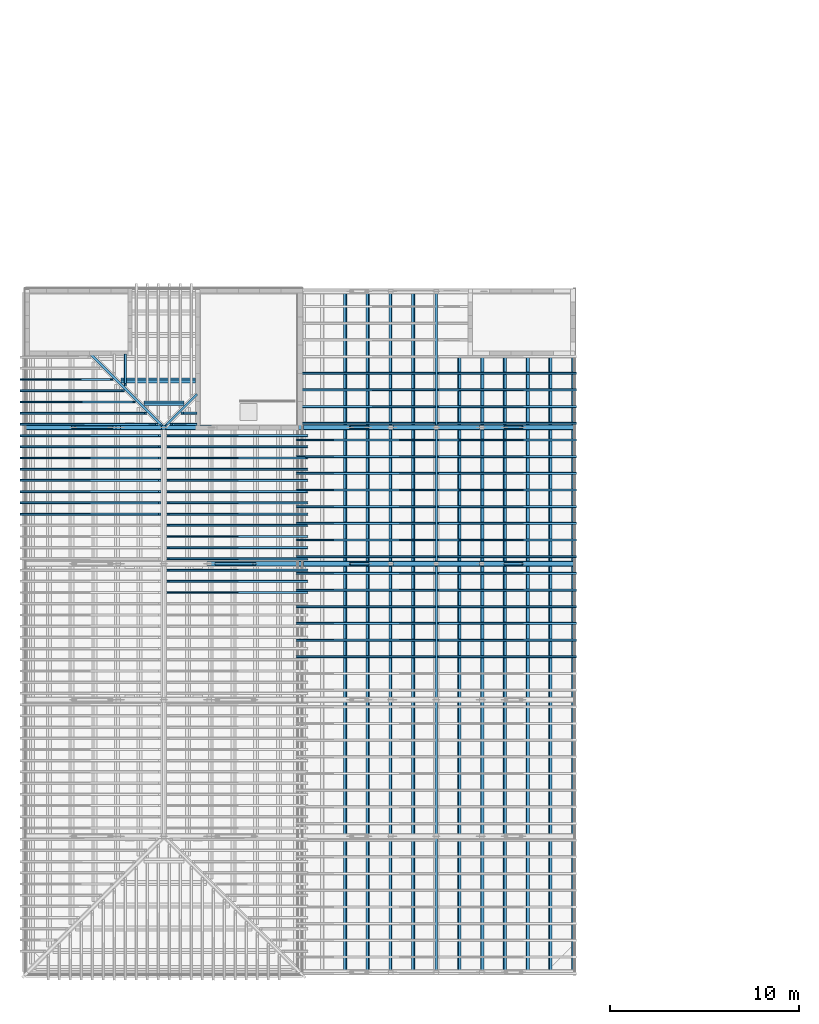
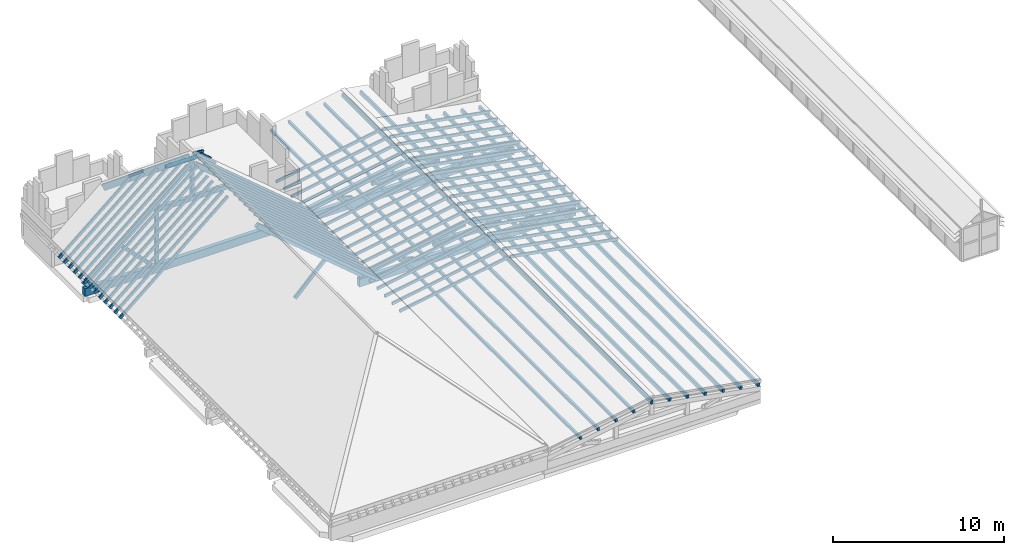
# One storey, part 3 of 28: 100 members, 3 beams.
"""IFC4 building model written with IfcOpenShell, lengths in metres."""

from ifc_helpers import new_model, si_unit, direction, frame, origin, origin_2d, place, context, subcontext, project, spatial, rectangle, extrude, material, material_profile, profile_set, type_object, element, save


model = new_model("IFC4")

# Units and contexts
model_context = context("Model", 3, precision=1e-05, world=origin(), true_north=direction((0.0, 1.0)))
body_context = subcontext(model_context, "Body", "Model", "MODEL_VIEW")
ifc_project = project(units=[si_unit("LENGTHUNIT", "METRE"), si_unit("AREAUNIT", "SQUARE_METRE"), si_unit("VOLUMEUNIT", "CUBIC_METRE"), si_unit("PLANEANGLEUNIT", "RADIAN"), si_unit("MASSUNIT", "GRAM", prefix="KILO")], contexts=[model_context])

# Site, building, storey
site_placement = place(None, origin())
site = spatial("IfcSite", under=ifc_project, at=site_placement, CompositionType="ELEMENT")
building_placement = place(site_placement, origin())
building = spatial("IfcBuilding", under=site, at=building_placement, Name="Mazhai Court Health Centre", CompositionType="ELEMENT")
storey_placement = place(building_placement, frame((0.0, 0.0, 18.0)))
storey = spatial("IfcBuildingStorey", under=building, at=storey_placement, Name="RF", CompositionType="ELEMENT", Elevation=18.0)

# Members
ifc_material_1 = material(Name="Glulam GL24h", Category="wood")
ifc_material_profile_1 = material_profile(ifc_material_1, rectangle(XDim=0.10009765625, YDim=0.199951171875, at=origin_2d()), Name="GL24h 100x200")
ifc_profile_set_1 = profile_set([ifc_material_profile_1], Name="Glulam GL24h")
member_type_1 = type_object("IfcMemberType", Name="GL24h 100x200 rafter", PredefinedType="RAFTER", material=ifc_profile_set_1)
for number, where, z_axis, x_axis, name in (
    (1, (5.860595703125, 30.4208984375, 1.238525390625), (0.76421806679, 0.0, 0.644957941568), (0.0, 1.0, 0.0), "Rafter RV2-RF40"),
    (2, (5.860595703125, 31.01318359375, 1.238525390625), (0.76421806679, 0.0, 0.644957941568), (0.0, 1.0, 0.0), "Rafter RV2-RF41"),
    (3, (5.860595703125, 31.605712890625, 1.238525390625), (0.76421806679, 0.0, 0.644957941568), (0.0, 1.0, 0.0), "Rafter RV2-RF42"),
    (4, (5.860595703125, 32.1982421875, 1.238525390625), (0.76421806679, 0.0, 0.644957941568), (0.0, 1.0, 0.0), "Rafter RV2-RF43"),
    (5, (5.860595703125, 32.790771484375, 1.238525390625), (0.76421806679, 0.0, 0.644957941568), (0.0, 1.0, 0.0), "Rafter RV2-RF44"),
    (6, (5.860595703125, 33.383056640625, 1.238525390625), (0.76421806679, 0.0, 0.644957941568), (0.0, 1.0, 0.0), "Rafter RV2-RF45"),
    (7, (5.860595703125, 33.9755859375, 1.238525390625), (0.76421806679, 0.0, 0.644957941568), (0.0, 1.0, 0.0), "Rafter RV2-RF46"),
    (8, (5.860595703125, 34.568115234375, 1.238525390625), (0.76421806679, 0.0, 0.644957941568), (0.0, 1.0, 0.0), "Rafter RV2-RF47"),
):
    element("IfcMember", number, at=place(storey_placement, frame(where, z_axis=z_axis, x_axis=x_axis)), inside=storey, type_object=member_type_1, Name=name, PredefinedType="RAFTER", context=body_context, shape_type="SweptSolid", body=[
        extrude(rectangle(XDim=0.10009765625, YDim=0.199951171875, at=origin_2d()), origin(), (0.0, 0.0, 1.0), 9.57861328125),
    ])
member_1_placement = place(storey_placement, frame((5.860595703125, 35.160400390625, 1.238525390625), z_axis=(0.764224851201, 0.0, 0.644949902556), x_axis=(0.0, 1.0, 0.0)))
element("IfcMember", 9, at=member_1_placement, inside=storey, type_object=member_type_1, Name="Rafter RV2-RF48", PredefinedType="RAFTER", context=body_context, shape_type="SweptSolid", body=[
    extrude(rectangle(XDim=0.10009765625, YDim=0.199951171875, at=origin_2d()), origin(), (0.0, 0.0, 1.0), 9.36865234375),
])
member_2_placement = place(storey_placement, frame((5.860595703125, 35.7529296875, 1.238525390625), z_axis=(0.764221902601, 0.0, 0.644953396444), x_axis=(0.0, 1.0, 0.0)))
element("IfcMember", 10, at=member_2_placement, inside=storey, type_object=member_type_1, Name="Rafter RV2-RF49", PredefinedType="RAFTER", context=body_context, shape_type="SweptSolid", body=[
    extrude(rectangle(XDim=0.10009765625, YDim=0.199951171875, at=origin_2d()), origin(), (0.0, 0.0, 1.0), 8.59326171875),
])
member_3_placement = place(storey_placement, frame((5.860595703125, 36.345458984375, 1.238525390625), z_axis=(0.764218369158, 0.0, 0.644957583288), x_axis=(0.0, 1.0, 0.0)))
element("IfcMember", 11, at=member_3_placement, inside=storey, type_object=member_type_1, Name="Rafter RV2-RF50", PredefinedType="RAFTER", context=body_context, shape_type="SweptSolid", body=[
    extrude(rectangle(XDim=0.10009765625, YDim=0.199951171875, at=origin_2d()), origin(), (0.0, 0.0, 1.0), 7.81787109375),
])
member_4_placement = place(storey_placement, frame((5.860595703125, 36.93798828125, 1.238525390625), z_axis=(0.764228477435, 0.0, 0.644945605673), x_axis=(0.0, 1.0, 0.0)))
element("IfcMember", 12, at=member_4_placement, inside=storey, type_object=member_type_1, Name="Rafter RV2-RF51", PredefinedType="RAFTER", context=body_context, shape_type="SweptSolid", body=[
    extrude(rectangle(XDim=0.10009765625, YDim=0.199951171875, at=origin_2d()), origin(), (0.0, 0.0, 1.0), 7.042724609375),
])
member_5_placement = place(storey_placement, frame((5.860595703125, 37.5302734375, 1.238525390625), z_axis=(0.764224883281, 0.0, 0.644949864543), x_axis=(0.0, 1.0, 0.0)))
element("IfcMember", 13, at=member_5_placement, inside=storey, type_object=member_type_1, Name="Rafter RV2-RF52", PredefinedType="RAFTER", context=body_context, shape_type="SweptSolid", body=[
    extrude(rectangle(XDim=0.10009765625, YDim=0.199951171875, at=origin_2d()), origin(), (0.0, 0.0, 1.0), 6.267578125),
])
for number, where, z_axis, x_axis, name in (
    (14, (20.939208984375, 34.568115234375, 1.238525390625), (-0.76420746406, 0.0, 0.644970504655), (0.0, -1.0, 0.0), "Rafter RV2-RF70"),
    (15, (20.939208984375, 33.9755859375, 1.238525390625), (-0.76420746406, 0.0, 0.644970504655), (0.0, -1.0, 0.0), "Rafter RV2-RF71"),
    (16, (20.939208984375, 33.383056640625, 1.238525390625), (-0.76420746406, 0.0, 0.644970504655), (0.0, -1.0, 0.0), "Rafter RV2-RF72"),
    (17, (20.939208984375, 32.790771484375, 1.238525390625), (-0.76420746406, 0.0, 0.644970504655), (0.0, -1.0, 0.0), "Rafter RV2-RF73"),
    (18, (20.939208984375, 32.1982421875, 1.238525390625), (-0.76420746406, 0.0, 0.644970504655), (0.0, -1.0, 0.0), "Rafter RV2-RF74"),
    (19, (20.939208984375, 31.605712890625, 1.238525390625), (-0.76420746406, 0.0, 0.644970504655), (0.0, -1.0, 0.0), "Rafter RV2-RF75"),
    (20, (20.939208984375, 31.01318359375, 1.238525390625), (-0.76420746406, 0.0, 0.644970504655), (0.0, -1.0, 0.0), "Rafter RV2-RF76"),
    (21, (20.939208984375, 30.4208984375, 1.238525390625), (-0.76420746406, 0.0, 0.644970504655), (0.0, -1.0, 0.0), "Rafter RV2-RF77"),
    (22, (20.939208984375, 29.828369140625, 1.238525390625), (-0.76420746406, 0.0, 0.644970504655), (0.0, -1.0, 0.0), "Rafter RV2-RF78"),
    (23, (20.939208984375, 29.23583984375, 1.238525390625), (-0.76420746406, 0.0, 0.644970504655), (0.0, -1.0, 0.0), "Rafter RV2-RF79"),
    (24, (20.939208984375, 28.6435546875, 1.238525390625), (-0.76420746406, 0.0, 0.644970504655), (0.0, -1.0, 0.0), "Rafter RV2-RF80"),
    (25, (20.939208984375, 28.051025390625, 1.238525390625), (-0.76420746406, 0.0, 0.644970504655), (0.0, -1.0, 0.0), "Rafter RV2-RF81"),
    (26, (20.939208984375, 27.45849609375, 1.238525390625), (-0.76420746406, 0.0, 0.644970504655), (0.0, -1.0, 0.0), "Rafter RV2-RF82"),
    (27, (20.939208984375, 26.865966796875, 1.238525390625), (-0.76420746406, 0.0, 0.644970504655), (0.0, -1.0, 0.0), "Rafter RV2-RF83"),
    (28, (20.939208984375, 26.273681640625, 1.238525390625), (-0.76420746406, 0.0, 0.644970504655), (0.0, -1.0, 0.0), "Rafter RV2-RF84"),
):
    element("IfcMember", number, at=place(storey_placement, frame(where, z_axis=z_axis, x_axis=x_axis)), inside=storey, type_object=member_type_1, Name=name, PredefinedType="RAFTER", context=body_context, shape_type="SweptSolid", body=[
        extrude(rectangle(XDim=0.10009765625, YDim=0.199951171875, at=origin_2d()), origin(), (0.0, 0.0, 1.0), 9.578369140625),
    ])
for number, where, z_axis, x_axis, name in (
    (29, (20.4208984375, 22.877685546875, 1.2197265625), (0.984809771237, 0.0, 0.173636731354), (0.0, 1.0, 0.0), "Rafter RV5-RF20"),
    (30, (20.4208984375, 23.75927734375, 1.2197265625), (0.984809771237, 0.0, 0.173636731354), (0.0, 1.0, 0.0), "Rafter RV5-RF21"),
    (31, (20.4208984375, 24.640625, 1.2197265625), (0.984809771237, 0.0, 0.173636731354), (0.0, 1.0, 0.0), "Rafter RV5-RF22"),
    (32, (20.4208984375, 25.522216796875, 1.2197265625), (0.984809771237, 0.0, 0.173636731354), (0.0, 1.0, 0.0), "Rafter RV5-RF23"),
    (33, (20.4208984375, 26.403564453125, 1.2197265625), (0.984809771237, 0.0, 0.173636731354), (0.0, 1.0, 0.0), "Rafter RV5-RF24"),
    (34, (20.4208984375, 27.28515625, 1.2197265625), (0.984809771237, 0.0, 0.173636731354), (0.0, 1.0, 0.0), "Rafter RV5-RF25"),
    (35, (20.4208984375, 28.16650390625, 1.2197265625), (0.984809771237, 0.0, 0.173636731354), (0.0, 1.0, 0.0), "Rafter RV5-RF26"),
    (36, (20.4208984375, 29.048095703125, 1.2197265625), (0.984809771237, 0.0, 0.173636731354), (0.0, 1.0, 0.0), "Rafter RV5-RF27"),
    (37, (20.4208984375, 29.929443359375, 1.2197265625), (0.984809771237, 0.0, 0.173636731354), (0.0, 1.0, 0.0), "Rafter RV5-RF28"),
    (38, (20.4208984375, 30.81103515625, 1.2197265625), (0.984809771237, 0.0, 0.173636731354), (0.0, 1.0, 0.0), "Rafter RV5-RF29"),
    (39, (20.4208984375, 31.6923828125, 1.2197265625), (0.984809771237, 0.0, 0.173636731354), (0.0, 1.0, 0.0), "Rafter RV5-RF30"),
    (40, (20.4208984375, 32.573974609375, 1.2197265625), (0.984809771237, 0.0, 0.173636731354), (0.0, 1.0, 0.0), "Rafter RV5-RF31"),
    (41, (20.4208984375, 33.455322265625, 1.2197265625), (0.984809771237, 0.0, 0.173636731354), (0.0, 1.0, 0.0), "Rafter RV5-RF32"),
    (42, (20.4208984375, 34.3369140625, 1.2197265625), (0.984809771237, 0.0, 0.173636731354), (0.0, 1.0, 0.0), "Rafter RV5-RF33"),
):
    element("IfcMember", number, at=place(storey_placement, frame(where, z_axis=z_axis, x_axis=x_axis)), inside=storey, type_object=member_type_1, Name=name, PredefinedType="RAFTER", context=body_context, shape_type="SweptSolid", body=[
        extrude(rectangle(XDim=0.10009765625, YDim=0.199951171875, at=origin_2d()), origin(), (0.0, 0.0, 1.0), 7.404296875),
    ])
for number, where, z_axis, x_axis, name in (
    (43, (35.178955078125, 37.86279296875, 1.2197265625), (-0.984808777057, 0.0, 0.173642369918), (0.0, -1.0, 0.0), "Rafter RV5-RF48"),
    (44, (35.178955078125, 36.981201171875, 1.2197265625), (-0.984808777057, 0.0, 0.173642369918), (0.0, -1.0, 0.0), "Rafter RV5-RF49"),
    (45, (35.178955078125, 36.099853515625, 1.2197265625), (-0.984808777057, 0.0, 0.173642369918), (0.0, -1.0, 0.0), "Rafter RV5-RF50"),
    (46, (35.178955078125, 35.21826171875, 1.2197265625), (-0.984808777057, 0.0, 0.173642369918), (0.0, -1.0, 0.0), "Rafter RV5-RF51"),
    (47, (35.178955078125, 34.3369140625, 1.2197265625), (-0.984808777057, 0.0, 0.173642369918), (0.0, -1.0, 0.0), "Rafter RV5-RF52"),
    (48, (35.178955078125, 33.455322265625, 1.2197265625), (-0.984808777057, 0.0, 0.173642369918), (0.0, -1.0, 0.0), "Rafter RV5-RF53"),
    (49, (35.178955078125, 32.573974609375, 1.2197265625), (-0.984808777057, 0.0, 0.173642369918), (0.0, -1.0, 0.0), "Rafter RV5-RF54"),
    (50, (35.178955078125, 31.6923828125, 1.2197265625), (-0.984808777057, 0.0, 0.173642369918), (0.0, -1.0, 0.0), "Rafter RV5-RF55"),
    (51, (35.178955078125, 30.81103515625, 1.2197265625), (-0.984808777057, 0.0, 0.173642369918), (0.0, -1.0, 0.0), "Rafter RV5-RF56"),
    (52, (35.178955078125, 29.929443359375, 1.2197265625), (-0.984808777057, 0.0, 0.173642369918), (0.0, -1.0, 0.0), "Rafter RV5-RF57"),
    (53, (35.178955078125, 29.048095703125, 1.2197265625), (-0.984808777057, 0.0, 0.173642369918), (0.0, -1.0, 0.0), "Rafter RV5-RF58"),
    (54, (35.178955078125, 28.16650390625, 1.2197265625), (-0.984808777057, 0.0, 0.173642369918), (0.0, -1.0, 0.0), "Rafter RV5-RF59"),
    (55, (35.178955078125, 27.28515625, 1.2197265625), (-0.984808777057, 0.0, 0.173642369918), (0.0, -1.0, 0.0), "Rafter RV5-RF60"),
    (56, (35.178955078125, 26.403564453125, 1.2197265625), (-0.984808777057, 0.0, 0.173642369918), (0.0, -1.0, 0.0), "Rafter RV5-RF61"),
    (57, (35.178955078125, 25.522216796875, 1.2197265625), (-0.984808777057, 0.0, 0.173642369918), (0.0, -1.0, 0.0), "Rafter RV5-RF62"),
    (58, (35.178955078125, 24.640625, 1.2197265625), (-0.984808777057, 0.0, 0.173642369918), (0.0, -1.0, 0.0), "Rafter RV5-RF63"),
    (59, (35.178955078125, 23.75927734375, 1.2197265625), (-0.984808777057, 0.0, 0.173642369918), (0.0, -1.0, 0.0), "Rafter RV5-RF64"),
    (60, (35.178955078125, 22.877685546875, 1.2197265625), (-0.984808777057, 0.0, 0.173642369918), (0.0, -1.0, 0.0), "Rafter RV5-RF65"),
):
    element("IfcMember", number, at=place(storey_placement, frame(where, z_axis=z_axis, x_axis=x_axis)), inside=storey, type_object=member_type_1, Name=name, PredefinedType="RAFTER", context=body_context, shape_type="SweptSolid", body=[
        extrude(rectangle(XDim=0.10009765625, YDim=0.199951171875, at=origin_2d()), origin(), (0.0, 0.0, 1.0), 7.404052734375),
    ])
member_6_placement = place(storey_placement, frame((15.074951171875, 35.7529296875, 6.187744140625), z_axis=(-0.764201501116, 0.0, 0.644977569914), x_axis=(0.0, -1.0, 0.0)))
element("IfcMember", 61, at=member_6_placement, inside=storey, type_object=member_type_1, Name="Rafter RV2-RF68", PredefinedType="RAFTER", context=body_context, shape_type="SweptSolid", body=[
    extrude(rectangle(XDim=0.10009765625, YDim=0.199951171875, at=origin_2d()), origin(), (0.0, 0.0, 1.0), 0.91943359375),
])
member_7_placement = place(storey_placement, frame((15.074951171875, 35.160400390625, 6.187744140625), z_axis=(-0.764227134391, 0.0, 0.64494719711), x_axis=(0.0, -1.0, 0.0)))
element("IfcMember", 62, at=member_7_placement, inside=storey, type_object=member_type_1, Name="Rafter RV2-RF69", PredefinedType="RAFTER", context=body_context, shape_type="SweptSolid", body=[
    extrude(rectangle(XDim=0.10009765625, YDim=0.199951171875, at=origin_2d()), origin(), (0.0, 0.0, 1.0), 1.69482421875),
])
for number, where, z_axis, x_axis, name in (
    (63, (20.72509765625, 35.21826171875, 1.2734375), (0.984805720041, 0.0, 0.173659706825), (0.0, 1.0, 0.0), "Rafter RV5-RF34"),
    (64, (20.72509765625, 36.099853515625, 1.2734375), (0.984805720041, 0.0, 0.173659706825), (0.0, 1.0, 0.0), "Rafter RV5-RF35"),
    (65, (20.72509765625, 36.981201171875, 1.2734375), (0.984805720041, 0.0, 0.173659706825), (0.0, 1.0, 0.0), "Rafter RV5-RF36"),
    (66, (20.72509765625, 37.86279296875, 1.2734375), (0.984805720041, 0.0, 0.173659706825), (0.0, 1.0, 0.0), "Rafter RV5-RF37"),
):
    element("IfcMember", number, at=place(storey_placement, frame(where, z_axis=z_axis, x_axis=x_axis)), inside=storey, type_object=member_type_1, Name=name, PredefinedType="RAFTER", context=body_context, shape_type="SweptSolid", body=[
        extrude(rectangle(XDim=0.10009765625, YDim=0.199951171875, at=origin_2d()), origin(), (0.0, 0.0, 1.0), 7.095458984375),
    ])
member_8_placement = place(storey_placement, frame((11.364501953125, 38.81005859375, 4.385986328125), z_axis=(0.0, -0.764273003664, 0.644892840611), x_axis=(1.0, 0.0, 0.0)))
element("IfcMember", 67, at=member_8_placement, inside=storey, type_object=member_type_1, Name="Rafter RV2-RF146", PredefinedType="RAFTER", context=body_context, shape_type="SweptSolid", body=[
    extrude(rectangle(XDim=0.10009765625, YDim=0.199951171875, at=origin_2d()), origin(), (0.0, 0.0, 1.0), 2.034912109375),
])
ifc_material_2 = material(Name="Glulam GL24h", Category="wood")
ifc_material_profile_2 = material_profile(ifc_material_2, rectangle(XDim=0.1201171875, YDim=0.43994140625, at=origin_2d()), Name="GL24h 120x440")
ifc_profile_set_2 = profile_set([ifc_material_profile_2], Name="Glulam GL24h")
member_type_2 = type_object("IfcMemberType", Name="GL24h 120x440 hip rafter", PredefinedType="RAFTER", material=ifc_profile_set_2)
member_9_placement = place(storey_placement, frame((15.074951171875, 36.675048828125, 5.9990234375), z_axis=(-0.607180957909, -0.607273884288, 0.512396051716), x_axis=(0.70716088477, -0.707052673464, 0.0)))
element("IfcMember", 68, at=member_9_placement, inside=storey, type_object=member_type_2, Name="Hip rafter RV2-HR7", PredefinedType="RAFTER", context=body_context, shape_type="SweptSolid", body=[
    extrude(rectangle(XDim=0.1201171875, YDim=0.43994140625, at=origin_2d()), origin(), (0.0, 0.0, 1.0), 2.627197265625),
])
member_10_placement = place(storey_placement, frame((9.590087890625, 38.81005859375, 4.197021484375), z_axis=(0.607186330854, -0.60722607078, 0.512446347036), x_axis=(0.707129919876, 0.70708364174, 0.0)))
element("IfcMember", 69, at=member_10_placement, inside=storey, type_object=member_type_2, Name="Hip rafter RV2-HR3", PredefinedType="RAFTER", context=body_context, shape_type="SweptSolid", body=[
    extrude(rectangle(XDim=0.1201171875, YDim=0.43994140625, at=origin_2d()), origin(), (0.0, 0.0, 1.0), 6.1435546875),
])
ifc_material_3 = material(Name="Glulam GL24h", Category="wood")
ifc_material_profile_3 = material_profile(ifc_material_3, rectangle(XDim=0.139892578125, YDim=0.239990234375, at=origin_2d()), Name="GL24h 140x240")
ifc_profile_set_3 = profile_set([ifc_material_profile_3], Name="Glulam GL24h")
member_type_3 = type_object("IfcMemberType", Name="GL24h 140x240 purlin", PredefinedType="PURLIN", material=ifc_profile_set_3)
member_11_placement = place(storey_placement, frame((12.33837890625, 36.27734375, 6.2353515625), z_axis=(1.0, 0.0, 0.0), x_axis=(0.0, 0.764220419975, -0.644955153242)))
element("IfcMember", 70, at=member_11_placement, inside=storey, type_object=member_type_3, Name="Purlin RV2-PU26", PredefinedType="PURLIN", context=body_context, shape_type="SweptSolid", body=[
    extrude(rectangle(XDim=0.139892578125, YDim=0.239990234375, at=origin_2d()), origin(), (0.0, 0.0, 1.0), 2.123291015625),
])
for number, where, z_axis, x_axis, name in (
    (71, (22.979248046875, 6.080078125, 1.447509765625), (0.0, 1.0, 0.0), (-0.984807753012, 0.0, -0.173648177667), "Purlin RV5-PU3"),
    (72, (24.17919921875, 6.080078125, 1.658935546875), (0.0, 1.0, 0.0), (-0.984807753012, 0.0, -0.173648177667), "Purlin RV5-PU4"),
    (73, (25.379150390625, 6.080078125, 1.87060546875), (0.0, 1.0, 0.0), (-0.984807753012, 0.0, -0.173648177667), "Purlin RV5-PU5"),
    (74, (26.5791015625, 6.080078125, 2.082275390625), (0.0, 1.0, 0.0), (-0.984807753012, 0.0, -0.173648177667), "Purlin RV5-PU6"),
    (75, (29.020751953125, 6.080078125, 2.082275390625), (0.0, 1.0, 0.0), (-0.984807753012, 0.0, 0.173648177667), "Purlin RV5-PU12"),
):
    element("IfcMember", number, at=place(storey_placement, frame(where, z_axis=z_axis, x_axis=x_axis)), inside=storey, type_object=member_type_3, Name=name, PredefinedType="PURLIN", context=body_context, shape_type="SweptSolid", body=[
        extrude(rectangle(XDim=0.139892578125, YDim=0.239990234375, at=origin_2d()), origin(), (0.0, 0.0, 1.0), 36.239990234375),
    ])
member_12_placement = place(storey_placement, frame((11.13818359375, 37.477294921875, 5.22265625), z_axis=(1.0, 0.0, 0.0), x_axis=(0.0, 0.764220419975, -0.644955153242)))
element("IfcMember", 76, at=member_12_placement, inside=storey, type_object=member_type_3, Name="Purlin RV2-PU25", PredefinedType="PURLIN", context=body_context, shape_type="SweptSolid", body=[
    extrude(rectangle(XDim=0.139892578125, YDim=0.239990234375, at=origin_2d()), origin(), (0.0, 0.0, 1.0), 3.936767578125),
])
for number, where, z_axis, x_axis, name in (
    (77, (35.020751953125, 6.080078125, 1.0244140625), (0.0, 1.0, 0.0), (-0.984807753012, 0.0, 0.173648177667), "Purlin RV5-PU7"),
    (78, (33.82080078125, 6.080078125, 1.23583984375), (0.0, 1.0, 0.0), (-0.984807753012, 0.0, 0.173648177667), "Purlin RV5-PU8"),
    (79, (32.620849609375, 6.080078125, 1.447509765625), (0.0, 1.0, 0.0), (-0.984807753012, 0.0, 0.173648177667), "Purlin RV5-PU9"),
    (80, (31.4208984375, 6.080078125, 1.6591796875), (0.0, 1.0, 0.0), (-0.984807753012, 0.0, 0.173648177667), "Purlin RV5-PU10"),
    (81, (30.220703125, 6.080078125, 1.87060546875), (0.0, 1.0, 0.0), (-0.984807753012, 0.0, 0.173648177667), "Purlin RV5-PU11"),
):
    element("IfcMember", number, at=place(storey_placement, frame(where, z_axis=z_axis, x_axis=x_axis)), inside=storey, type_object=member_type_3, Name=name, PredefinedType="PURLIN", context=body_context, shape_type="SweptSolid", body=[
        extrude(rectangle(XDim=0.139892578125, YDim=0.239990234375, at=origin_2d()), origin(), (0.0, 0.0, 1.0), 32.72998046875),
    ])
ifc_material_4 = material(Name="Glulam GL24h", Category="wood")
ifc_material_profile_4 = material_profile(ifc_material_4, rectangle(XDim=0.139892578125, YDim=0.239990234375, at=origin_2d()), Name="GL24h 140x240")
ifc_profile_set_4 = profile_set([ifc_material_profile_4], Name="Glulam GL24h")
member_type_4 = type_object("IfcMemberType", Name="GL24h 140x240 ridge purlin", PredefinedType="PURLIN", material=ifc_profile_set_4)
member_13_placement = place(storey_placement, frame((27.800048828125, 6.080078125, 2.29931640625), z_axis=(0.0, 1.0, 0.0), x_axis=(-1.0, 0.0, 0.0)))
element("IfcMember", 82, at=member_13_placement, inside=storey, type_object=member_type_4, Name="Ridge purlin RV5-RP1", PredefinedType="PURLIN", context=body_context, shape_type="SweptSolid", body=[
    extrude(rectangle(XDim=0.139892578125, YDim=0.239990234375, at=origin_2d()), origin(), (0.0, 0.0, 1.0), 36.239990234375),
])
ifc_material_5 = material(Name="Glulam GL24h", Category="wood")
ifc_material_profile_5 = material_profile(ifc_material_5, rectangle(XDim=0.139892578125, YDim=0.239990234375, at=origin_2d()), Name="GL24h 140x240")
ifc_profile_set_5 = profile_set([ifc_material_profile_5], Name="Glulam GL24h")
member_type_5 = type_object("IfcMemberType", Name="GL24h 140x240 strut", PredefinedType="BRACE", material=ifc_profile_set_5)
for number, where, z_axis, x_axis, name in (
    (83, (16.18408203125, 27.800048828125, 0.644287109375), (0.702439843962, 0.0, 0.711743117715), (0.0, 1.0, 0.0), "Strut TV2-3-S1"),
    (84, (10.615966796875, 35.0, 0.644287109375), (-0.702439843962, 0.0, 0.711743117715), (0.0, -1.0, 0.0), "Strut TV2-4-S2"),
):
    element("IfcMember", number, at=place(storey_placement, frame(where, z_axis=z_axis, x_axis=x_axis)), inside=storey, type_object=member_type_5, Name=name, PredefinedType="BRACE", context=body_context, shape_type="SweptSolid", body=[
        extrude(rectangle(XDim=0.139892578125, YDim=0.239990234375, at=origin_2d()), origin(), (0.0, 0.0, 1.0), 2.8603515625),
    ])
member_14_placement = place(storey_placement, frame((31.4013671875, 27.800048828125, 0.67578125), z_axis=(0.964438468901, 0.0, 0.264307471902), x_axis=(0.0, 1.0, 0.0)))
element("IfcMember", 85, at=member_14_placement, inside=storey, type_object=member_type_5, Name="Strut TV5-4-S1", PredefinedType="BRACE", context=body_context, shape_type="SweptSolid", body=[
    extrude(rectangle(XDim=0.139892578125, YDim=0.239990234375, at=origin_2d()), origin(), (0.0, 0.0, 1.0), 0.9892578125),
])
member_15_placement = place(storey_placement, frame((24.19873046875, 27.800048828125, 0.67578125), z_axis=(-0.964455702811, 0.0, 0.264244578591), x_axis=(0.0, -1.0, 0.0)))
element("IfcMember", 86, at=member_15_placement, inside=storey, type_object=member_type_5, Name="Strut TV5-4-S2", PredefinedType="BRACE", context=body_context, shape_type="SweptSolid", body=[
    extrude(rectangle(XDim=0.139892578125, YDim=0.239990234375, at=origin_2d()), origin(), (0.0, 0.0, 1.0), 0.989501953125),
])
member_16_placement = place(storey_placement, frame((31.4013671875, 35.0, 0.67578125), z_axis=(0.964438468901, 0.0, 0.264307471902), x_axis=(0.0, 1.0, 0.0)))
element("IfcMember", 87, at=member_16_placement, inside=storey, type_object=member_type_5, Name="Strut TV5-5-S1", PredefinedType="BRACE", context=body_context, shape_type="SweptSolid", body=[
    extrude(rectangle(XDim=0.139892578125, YDim=0.239990234375, at=origin_2d()), origin(), (0.0, 0.0, 1.0), 0.9892578125),
])
member_17_placement = place(storey_placement, frame((24.19873046875, 35.0, 0.67578125), z_axis=(-0.964455702811, 0.0, 0.264244578591), x_axis=(0.0, -1.0, 0.0)))
element("IfcMember", 88, at=member_17_placement, inside=storey, type_object=member_type_5, Name="Strut TV5-5-S2", PredefinedType="BRACE", context=body_context, shape_type="SweptSolid", body=[
    extrude(rectangle(XDim=0.139892578125, YDim=0.239990234375, at=origin_2d()), origin(), (0.0, 0.0, 1.0), 0.989501953125),
])
ifc_material_6 = material(Name="Glulam GL28h", Category="wood")
ifc_material_profile_6 = material_profile(ifc_material_6, rectangle(XDim=0.199951171875, YDim=0.239990234375, at=origin_2d()), Name="GL28h 200x240")
ifc_profile_set_6 = profile_set([ifc_material_profile_6], Name="Glulam GL28h")
member_type_6 = type_object("IfcMemberType", Name="GL28h 200x240 post", PredefinedType="POST", material=ifc_profile_set_6)
member_18_placement = place(storey_placement, frame((11.0, 35.0, 0.56005859375), z_axis=(0.0, 0.0, 1.0), x_axis=(0.0, 1.0, 0.0)))
element("IfcMember", 89, at=member_18_placement, inside=storey, type_object=member_type_6, Name="Post TV2-4-P2", PredefinedType="POST", context=body_context, shape_type="SweptSolid", body=[
    extrude(rectangle(XDim=0.199951171875, YDim=0.239990234375, at=origin_2d()), origin(), (0.0, 0.0, 1.0), 4.05078125),
])
member_19_placement = place(storey_placement, frame((13.39990234375, 35.0, 4.61083984375), z_axis=(0.0, 0.0, 1.0), x_axis=(0.0, 1.0, 0.0)))
element("IfcMember", 90, at=member_19_placement, inside=storey, type_object=member_type_6, Name="Post TV2-4-P3", PredefinedType="POST", context=body_context, shape_type="SweptSolid", body=[
    extrude(rectangle(XDim=0.199951171875, YDim=0.239990234375, at=origin_2d()), origin(), (0.0, 0.0, 1.0), 2.61962890625),
])
ifc_material_7 = material(Name="Glulam GL28h", Category="wood")
ifc_material_profile_7 = material_profile(ifc_material_7, rectangle(XDim=0.239990234375, YDim=0.320068359375, at=origin_2d()), Name="GL28h 240x320")
ifc_profile_set_7 = profile_set([ifc_material_profile_7], Name="Glulam GL28h")
member_type_7 = type_object("IfcMemberType", Name="GL28h 240x320 collar", PredefinedType="COLLAR", material=ifc_profile_set_7)
member_20_placement = place(storey_placement, frame((15.919921875, 35.0, 4.450927734375), z_axis=(-1.0, 0.0, 0.0), x_axis=(0.0, -1.0, 0.0)))
element("IfcMember", 91, at=member_20_placement, inside=storey, type_object=member_type_7, Name="Collar TV2-4-SB1", PredefinedType="COLLAR", context=body_context, shape_type="SweptSolid", body=[
    extrude(rectangle(XDim=0.239990234375, YDim=0.320068359375, at=origin_2d()), origin(), (0.0, 0.0, 1.0), 4.7998046875),
])
for number, where, z_axis, x_axis, name in (
    (92, (30.080078125, 27.800048828125, 1.246337890625), (-1.0, 0.0, 0.0), (0.0, -1.0, 0.0), "Collar TV5-4-SB1"),
    (93, (30.080078125, 35.0, 1.246337890625), (-1.0, 0.0, 0.0), (0.0, -1.0, 0.0), "Collar TV5-5-SB1"),
):
    element("IfcMember", number, at=place(storey_placement, frame(where, z_axis=z_axis, x_axis=x_axis)), inside=storey, type_object=member_type_7, Name=name, PredefinedType="COLLAR", context=body_context, shape_type="SweptSolid", body=[
        extrude(rectangle(XDim=0.239990234375, YDim=0.320068359375, at=origin_2d()), origin(), (0.0, 0.0, 1.0), 4.56005859375),
    ])
ifc_material_8 = material(Name="Glulam GL28h", Category="wood")
ifc_material_profile_8 = material_profile(ifc_material_8, rectangle(XDim=0.239990234375, YDim=0.320068359375, at=origin_2d()), Name="GL28h 240x320")
ifc_profile_set_8 = profile_set([ifc_material_profile_8], Name="Glulam GL28h")
member_type_8 = type_object("IfcMemberType", Name="GL28h 240x320 rafter", PredefinedType="CHORD", material=ifc_profile_set_8)
for number, where, z_axis, x_axis, name in (
    (94, (20.719970703125, 27.800048828125, 0.769287109375), (-0.764219553814, 0.0, 0.644956179573), (0.0, -1.0, 0.0), "Rafter TV2-3-R1"),
    (95, (20.719970703125, 35.0, 0.769287109375), (-0.764219553814, 0.0, 0.644956179573), (0.0, -1.0, 0.0), "Rafter TV2-4-R1"),
    (96, (13.19189453125, 35.0, 6.771240234375), (-0.764219553814, 0.0, -0.644956179573), (0.0, -1.0, 0.0), "Rafter TV2-4-R8"),
):
    element("IfcMember", number, at=place(storey_placement, frame(where, z_axis=z_axis, x_axis=x_axis)), inside=storey, type_object=member_type_8, Name=name, PredefinedType="CHORD", context=body_context, shape_type="SweptSolid", body=[
        extrude(rectangle(XDim=0.239990234375, YDim=0.320068359375, at=origin_2d()), origin(), (0.0, 0.0, 1.0), 9.305908203125),
    ])
for number, where, z_axis, x_axis, name in (
    (97, (35.1201171875, 27.800048828125, 0.722412109375), (-0.984807123642, 0.0, 0.173651746962), (0.0, -1.0, 0.0), "Rafter TV5-4-R1"),
    (98, (27.667236328125, 27.800048828125, 1.98974609375), (-0.984807123642, 0.0, -0.173651746962), (0.0, -1.0, 0.0), "Rafter TV5-4-R8"),
    (99, (35.1201171875, 35.0, 0.722412109375), (-0.984807123642, 0.0, 0.173651746962), (0.0, -1.0, 0.0), "Rafter TV5-5-R1"),
    (100, (27.667236328125, 35.0, 1.98974609375), (-0.984807123642, 0.0, -0.173651746962), (0.0, -1.0, 0.0), "Rafter TV5-5-R8"),
):
    element("IfcMember", number, at=place(storey_placement, frame(where, z_axis=z_axis, x_axis=x_axis)), inside=storey, type_object=member_type_8, Name=name, PredefinedType="CHORD", context=body_context, shape_type="SweptSolid", body=[
        extrude(rectangle(XDim=0.239990234375, YDim=0.320068359375, at=origin_2d()), origin(), (0.0, 0.0, 1.0), 7.298095703125),
    ])

# Beams
ifc_material_9 = material(Name="Glulam GL28h", Category="wood")
ifc_material_profile_9 = material_profile(ifc_material_9, rectangle(XDim=0.280029296875, YDim=0.56005859375, at=origin_2d()), Name="GL28h 280x560")
ifc_profile_set_9 = profile_set([ifc_material_profile_9], Name="Glulam GL28h")
beam_type = type_object("IfcBeamType", Name="GL28h 280x560 tie", PredefinedType="BEAM", material=ifc_profile_set_9)
beam_placement = place(storey_placement, frame((20.719970703125, 35.0, 0.280029296875), z_axis=(-1.0, 0.0, 0.0), x_axis=(0.0, -1.0, 0.0)))
element("IfcBeam", 101, at=beam_placement, inside=storey, type_object=beam_type, Name="Tie TV2-4-TB1", PredefinedType="BEAM", context=body_context, shape_type="SweptSolid", body=[
    extrude(rectangle(XDim=0.280029296875, YDim=0.56005859375, at=origin_2d()), origin(), (0.0, 0.0, 1.0), 14.639892578125),
])
for number, where, z_axis, x_axis, name in (
    (102, (35.1201171875, 27.800048828125, 0.280029296875), (-1.0, 0.0, 0.0), (0.0, -1.0, 0.0), "Tie TV5-4-TB1"),
    (103, (35.1201171875, 35.0, 0.280029296875), (-1.0, 0.0, 0.0), (0.0, -1.0, 0.0), "Tie TV5-5-TB1"),
):
    element("IfcBeam", number, at=place(storey_placement, frame(where, z_axis=z_axis, x_axis=x_axis)), inside=storey, type_object=beam_type, Name=name, PredefinedType="BEAM", context=body_context, shape_type="SweptSolid", body=[
        extrude(rectangle(XDim=0.280029296875, YDim=0.56005859375, at=origin_2d()), origin(), (0.0, 0.0, 1.0), 14.64013671875),
    ])

save(model, "model.ifc")
